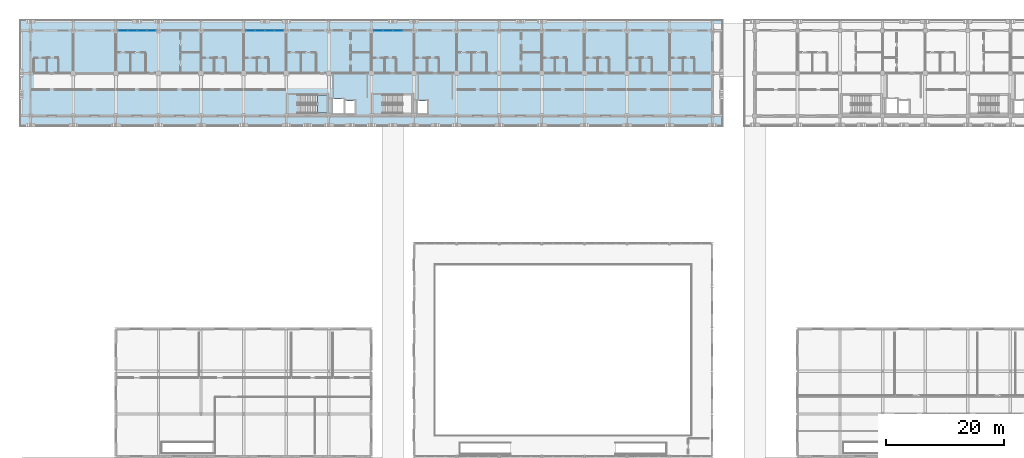
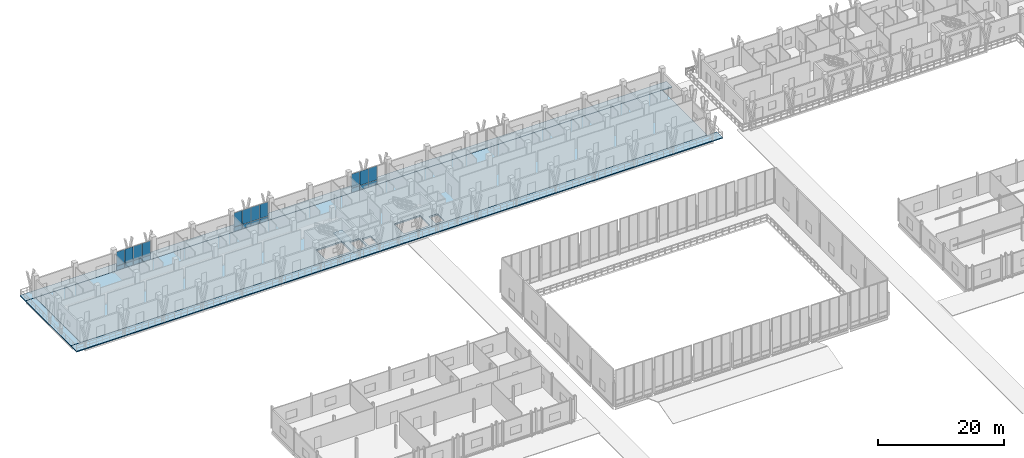
# One storey, part 58 of 110: 22 plates, 5 slabs, 4 elements without a shape of their own.
"""IFC4 building model written with IfcOpenShell, lengths in metres."""

from ifc_helpers import new_model, si_unit, direction, frame, origin, origin_2d, place, context, subcontext, project, spatial, polyline, rectangle, outline, extrude, material, layer, layer_set, type_object, element, aggregate, save


model = new_model("IFC4")

# Units and contexts
model_context = context("Model", 3, precision=1e-05, world=origin(), true_north=direction((0.0, 1.0)))
body_context = subcontext(model_context, "Body", "Model", "MODEL_VIEW")
ifc_project = project(units=[si_unit("LENGTHUNIT", "METRE"), si_unit("AREAUNIT", "SQUARE_METRE"), si_unit("VOLUMEUNIT", "CUBIC_METRE"), si_unit("PLANEANGLEUNIT", "RADIAN"), si_unit("MASSUNIT", "GRAM", prefix="KILO")], contexts=[model_context])

# Site, building, storey
site_placement = place(None, origin())
site = spatial("IfcSite", under=ifc_project, at=site_placement, CompositionType="ELEMENT")
building_placement = place(site_placement, origin())
building = spatial("IfcBuilding", under=site, at=building_placement, Name="Suanplinth Sawtooth Commons", CompositionType="ELEMENT")
storey_placement = place(building_placement, frame((0.0, 0.0, 4.5)))
storey = spatial("IfcBuildingStorey", under=building, at=storey_placement, Name="L01", CompositionType="ELEMENT", Elevation=4.5)

# Curtain wall, plates
ifc_material_1 = material(Name="Anodized aluminium and low-E glazing", Category="aluminium")
curtain_wall_type = type_object("IfcCurtainWallType", Name="CW-06", PredefinedType="USERDEFINED", material=ifc_material_1)
curtain_wall_1_placement = place(storey_placement, origin())
curtain_wall_1 = element("IfcCurtainWall", 1, at=curtain_wall_1_placement, inside=storey, type_object=curtain_wall_type, Name="Curtain Wall CW-L01-A-LOUNGE-2", ObjectType="CURTAIN WALL", PredefinedType="USERDEFINED")
ifc_material_2 = material(Name="Tempered low-E double glazing", Category="glass")
ifc_layer_1 = layer(ifc_material_2, 0.028076171875, Name="Vision low-E insulated glazing unit 28mm")
ifc_layer_set_1 = layer_set([ifc_layer_1], Name="Tempered low-E double glazing")
plate_type = type_object("IfcPlateType", Name="PL-05", PredefinedType="CURTAIN_PANEL", material=ifc_layer_set_1)
plate_1_placement = place(storey_placement, frame((15.6162109375, 122.39990234375, 0.06494140625), z_axis=(0.0, 0.0, 1.0), x_axis=(1.0, 0.0, 0.0)))
plate_1 = element("IfcPlate", 2, at=plate_1_placement, type_object=plate_type, Name="CW-06 panel 1.1", PredefinedType="CURTAIN_PANEL", context=body_context, shape_type="SweptSolid", body=[
    extrude(rectangle(XDim=1.50244140625, YDim=0.028076171875, at=origin_2d()), origin(), (0.0, 0.0, 1.0), 0.802490234375),
])
plate_2_placement = place(storey_placement, frame((15.6162109375, 122.39990234375, 0.9326171875), z_axis=(0.0, 0.0, 1.0), x_axis=(1.0, 0.0, 0.0)))
plate_2 = element("IfcPlate", 3, at=plate_2_placement, type_object=plate_type, Name="CW-06 panel 1.2", PredefinedType="CURTAIN_PANEL", context=body_context, shape_type="SweptSolid", body=[
    extrude(rectangle(XDim=1.50244140625, YDim=0.028076171875, at=origin_2d()), origin(), (0.0, 0.0, 1.0), 2.732421875),
])
plate_3_placement = place(storey_placement, frame((17.199951171875, 122.39990234375, 0.06494140625), z_axis=(0.0, 0.0, 1.0), x_axis=(1.0, 0.0, 0.0)))
plate_3 = element("IfcPlate", 4, at=plate_3_placement, type_object=plate_type, Name="CW-06 panel 2.1", PredefinedType="CURTAIN_PANEL", context=body_context, shape_type="SweptSolid", body=[
    extrude(rectangle(XDim=1.534912109375, YDim=0.028076171875, at=origin_2d()), origin(), (0.0, 0.0, 1.0), 0.802490234375),
])
plate_4_placement = place(storey_placement, frame((17.199951171875, 122.39990234375, 0.9326171875), z_axis=(0.0, 0.0, 1.0), x_axis=(1.0, 0.0, 0.0)))
plate_4 = element("IfcPlate", 5, at=plate_4_placement, type_object=plate_type, Name="CW-06 panel 2.2", PredefinedType="CURTAIN_PANEL", context=body_context, shape_type="SweptSolid", body=[
    extrude(rectangle(XDim=1.534912109375, YDim=0.028076171875, at=origin_2d()), origin(), (0.0, 0.0, 1.0), 2.732421875),
])
plate_5_placement = place(storey_placement, frame((18.800048828125, 122.39990234375, 0.06494140625), z_axis=(0.0, 0.0, 1.0), x_axis=(1.0, 0.0, 0.0)))
plate_5 = element("IfcPlate", 6, at=plate_5_placement, type_object=plate_type, Name="CW-06 panel 3.1", PredefinedType="CURTAIN_PANEL", context=body_context, shape_type="SweptSolid", body=[
    extrude(rectangle(XDim=1.534912109375, YDim=0.028076171875, at=origin_2d()), origin(), (0.0, 0.0, 1.0), 0.802490234375),
])
plate_6_placement = place(storey_placement, frame((18.800048828125, 122.39990234375, 0.9326171875), z_axis=(0.0, 0.0, 1.0), x_axis=(1.0, 0.0, 0.0)))
plate_6 = element("IfcPlate", 7, at=plate_6_placement, type_object=plate_type, Name="CW-06 panel 3.2", PredefinedType="CURTAIN_PANEL", context=body_context, shape_type="SweptSolid", body=[
    extrude(rectangle(XDim=1.534912109375, YDim=0.028076171875, at=origin_2d()), origin(), (0.0, 0.0, 1.0), 2.732421875),
])
plate_7_placement = place(storey_placement, frame((20.3837890625, 122.39990234375, 0.06494140625), z_axis=(0.0, 0.0, 1.0), x_axis=(1.0, 0.0, 0.0)))
plate_7 = element("IfcPlate", 8, at=plate_7_placement, type_object=plate_type, Name="CW-06 panel 4.1", PredefinedType="CURTAIN_PANEL", context=body_context, shape_type="SweptSolid", body=[
    extrude(rectangle(XDim=1.50244140625, YDim=0.028076171875, at=origin_2d()), origin(), (0.0, 0.0, 1.0), 0.802490234375),
])
plate_8_placement = place(storey_placement, frame((20.3837890625, 122.39990234375, 0.9326171875), z_axis=(0.0, 0.0, 1.0), x_axis=(1.0, 0.0, 0.0)))
plate_8 = element("IfcPlate", 9, at=plate_8_placement, type_object=plate_type, Name="CW-06 panel 4.2", PredefinedType="CURTAIN_PANEL", context=body_context, shape_type="SweptSolid", body=[
    extrude(rectangle(XDim=1.50244140625, YDim=0.028076171875, at=origin_2d()), origin(), (0.0, 0.0, 1.0), 2.732421875),
])
aggregate(curtain_wall_1, [plate_1, plate_2, plate_3, plate_4, plate_5, plate_6, plate_7, plate_8])

curtain_wall_2_placement = place(storey_placement, origin())
curtain_wall_2 = element("IfcCurtainWall", 10, at=curtain_wall_2_placement, inside=storey, type_object=curtain_wall_type, Name="Curtain Wall CW-L01-A-LOUNGE-5", ObjectType="CURTAIN WALL", PredefinedType="USERDEFINED")
plate_9_placement = place(storey_placement, frame((37.21630859375, 122.39990234375, 0.06494140625), z_axis=(0.0, 0.0, 1.0), x_axis=(1.0, 0.0, 0.0)))
plate_9 = element("IfcPlate", 11, at=plate_9_placement, type_object=plate_type, Name="CW-06 panel 1.1", PredefinedType="CURTAIN_PANEL", context=body_context, shape_type="SweptSolid", body=[
    extrude(rectangle(XDim=1.50244140625, YDim=0.028076171875, at=origin_2d()), origin(), (0.0, 0.0, 1.0), 0.802490234375),
])
plate_10_placement = place(storey_placement, frame((37.21630859375, 122.39990234375, 0.9326171875), z_axis=(0.0, 0.0, 1.0), x_axis=(1.0, 0.0, 0.0)))
plate_10 = element("IfcPlate", 12, at=plate_10_placement, type_object=plate_type, Name="CW-06 panel 1.2", PredefinedType="CURTAIN_PANEL", context=body_context, shape_type="SweptSolid", body=[
    extrude(rectangle(XDim=1.50244140625, YDim=0.028076171875, at=origin_2d()), origin(), (0.0, 0.0, 1.0), 2.732421875),
])
plate_11_placement = place(storey_placement, frame((38.800048828125, 122.39990234375, 0.06494140625), z_axis=(0.0, 0.0, 1.0), x_axis=(1.0, 0.0, 0.0)))
plate_11 = element("IfcPlate", 13, at=plate_11_placement, type_object=plate_type, Name="CW-06 panel 2.1", PredefinedType="CURTAIN_PANEL", context=body_context, shape_type="SweptSolid", body=[
    extrude(rectangle(XDim=1.534912109375, YDim=0.028076171875, at=origin_2d()), origin(), (0.0, 0.0, 1.0), 0.802490234375),
])
plate_12_placement = place(storey_placement, frame((38.800048828125, 122.39990234375, 0.9326171875), z_axis=(0.0, 0.0, 1.0), x_axis=(1.0, 0.0, 0.0)))
plate_12 = element("IfcPlate", 14, at=plate_12_placement, type_object=plate_type, Name="CW-06 panel 2.2", PredefinedType="CURTAIN_PANEL", context=body_context, shape_type="SweptSolid", body=[
    extrude(rectangle(XDim=1.534912109375, YDim=0.028076171875, at=origin_2d()), origin(), (0.0, 0.0, 1.0), 2.732421875),
])
plate_13_placement = place(storey_placement, frame((40.39990234375, 122.39990234375, 0.06494140625), z_axis=(0.0, 0.0, 1.0), x_axis=(1.0, 0.0, 0.0)))
plate_13 = element("IfcPlate", 15, at=plate_13_placement, type_object=plate_type, Name="CW-06 panel 3.1", PredefinedType="CURTAIN_PANEL", context=body_context, shape_type="SweptSolid", body=[
    extrude(rectangle(XDim=1.534912109375, YDim=0.028076171875, at=origin_2d()), origin(), (0.0, 0.0, 1.0), 0.802490234375),
])
plate_14_placement = place(storey_placement, frame((40.39990234375, 122.39990234375, 0.9326171875), z_axis=(0.0, 0.0, 1.0), x_axis=(1.0, 0.0, 0.0)))
plate_14 = element("IfcPlate", 16, at=plate_14_placement, type_object=plate_type, Name="CW-06 panel 3.2", PredefinedType="CURTAIN_PANEL", context=body_context, shape_type="SweptSolid", body=[
    extrude(rectangle(XDim=1.534912109375, YDim=0.028076171875, at=origin_2d()), origin(), (0.0, 0.0, 1.0), 2.732421875),
])
plate_15_placement = place(storey_placement, frame((41.983642578125, 122.39990234375, 0.06494140625), z_axis=(0.0, 0.0, 1.0), x_axis=(1.0, 0.0, 0.0)))
plate_15 = element("IfcPlate", 17, at=plate_15_placement, type_object=plate_type, Name="CW-06 panel 4.1", PredefinedType="CURTAIN_PANEL", context=body_context, shape_type="SweptSolid", body=[
    extrude(rectangle(XDim=1.50244140625, YDim=0.028076171875, at=origin_2d()), origin(), (0.0, 0.0, 1.0), 0.802490234375),
])
plate_16_placement = place(storey_placement, frame((41.983642578125, 122.39990234375, 0.9326171875), z_axis=(0.0, 0.0, 1.0), x_axis=(1.0, 0.0, 0.0)))
plate_16 = element("IfcPlate", 18, at=plate_16_placement, type_object=plate_type, Name="CW-06 panel 4.2", PredefinedType="CURTAIN_PANEL", context=body_context, shape_type="SweptSolid", body=[
    extrude(rectangle(XDim=1.50244140625, YDim=0.028076171875, at=origin_2d()), origin(), (0.0, 0.0, 1.0), 2.732421875),
])
aggregate(curtain_wall_2, [plate_9, plate_10, plate_11, plate_12, plate_13, plate_14, plate_15, plate_16])

curtain_wall_3_placement = place(storey_placement, origin())
curtain_wall_3 = element("IfcCurtainWall", 19, at=curtain_wall_3_placement, inside=storey, type_object=curtain_wall_type, Name="Curtain Wall CW-L01-A-LOUNGE-8", ObjectType="CURTAIN WALL", PredefinedType="USERDEFINED")
plate_17_placement = place(storey_placement, frame((58.816162109375, 122.39990234375, 0.06494140625), z_axis=(0.0, 0.0, 1.0), x_axis=(1.0, 0.0, 0.0)))
plate_17 = element("IfcPlate", 20, at=plate_17_placement, type_object=plate_type, Name="CW-06 panel 1.1", PredefinedType="CURTAIN_PANEL", context=body_context, shape_type="SweptSolid", body=[
    extrude(rectangle(XDim=1.50244140625, YDim=0.028076171875, at=origin_2d()), origin(), (0.0, 0.0, 1.0), 0.802490234375),
])
plate_18_placement = place(storey_placement, frame((58.816162109375, 122.39990234375, 0.9326171875), z_axis=(0.0, 0.0, 1.0), x_axis=(1.0, 0.0, 0.0)))
plate_18 = element("IfcPlate", 21, at=plate_18_placement, type_object=plate_type, Name="CW-06 panel 1.2", PredefinedType="CURTAIN_PANEL", context=body_context, shape_type="SweptSolid", body=[
    extrude(rectangle(XDim=1.50244140625, YDim=0.028076171875, at=origin_2d()), origin(), (0.0, 0.0, 1.0), 2.732421875),
])
plate_19_placement = place(storey_placement, frame((60.39990234375, 122.39990234375, 0.06494140625), z_axis=(0.0, 0.0, 1.0), x_axis=(1.0, 0.0, 0.0)))
plate_19 = element("IfcPlate", 22, at=plate_19_placement, type_object=plate_type, Name="CW-06 panel 2.1", PredefinedType="CURTAIN_PANEL", context=body_context, shape_type="SweptSolid", body=[
    extrude(rectangle(XDim=1.534912109375, YDim=0.028076171875, at=origin_2d()), origin(), (0.0, 0.0, 1.0), 0.802490234375),
])
plate_20_placement = place(storey_placement, frame((60.39990234375, 122.39990234375, 0.9326171875), z_axis=(0.0, 0.0, 1.0), x_axis=(1.0, 0.0, 0.0)))
plate_20 = element("IfcPlate", 23, at=plate_20_placement, type_object=plate_type, Name="CW-06 panel 2.2", PredefinedType="CURTAIN_PANEL", context=body_context, shape_type="SweptSolid", body=[
    extrude(rectangle(XDim=1.534912109375, YDim=0.028076171875, at=origin_2d()), origin(), (0.0, 0.0, 1.0), 2.732421875),
])
plate_21_placement = place(storey_placement, frame((62.0, 122.39990234375, 0.06494140625), z_axis=(0.0, 0.0, 1.0), x_axis=(1.0, 0.0, 0.0)))
plate_21 = element("IfcPlate", 24, at=plate_21_placement, type_object=plate_type, Name="CW-06 panel 3.1", PredefinedType="CURTAIN_PANEL", context=body_context, shape_type="SweptSolid", body=[
    extrude(rectangle(XDim=1.534912109375, YDim=0.028076171875, at=origin_2d()), origin(), (0.0, 0.0, 1.0), 0.802490234375),
])
plate_22_placement = place(storey_placement, frame((62.0, 122.39990234375, 0.9326171875), z_axis=(0.0, 0.0, 1.0), x_axis=(1.0, 0.0, 0.0)))
plate_22 = element("IfcPlate", 25, at=plate_22_placement, type_object=plate_type, Name="CW-06 panel 3.2", PredefinedType="CURTAIN_PANEL", context=body_context, shape_type="SweptSolid", body=[
    extrude(rectangle(XDim=1.534912109375, YDim=0.028076171875, at=origin_2d()), origin(), (0.0, 0.0, 1.0), 2.732421875),
])
aggregate(curtain_wall_3, [plate_17, plate_18, plate_19, plate_20, plate_21, plate_22])

# Slabs
ifc_material_3 = material(Name="Precast concrete C40/50", Category="concrete")
ifc_layer_2 = layer(ifc_material_3, 0.179931640625, Name="Wrap-around cantilevered precast balcony slab 180mm")
ifc_layer_set_2 = layer_set([ifc_layer_2], Name="Precast concrete C40/50")
slab_type_1 = type_object("IfcSlabType", Name="S-BL01", PredefinedType="FLOOR", material=ifc_layer_set_2)
slab_1_placement = place(storey_placement, frame((0.0, 0.0, -0.179931640625)))
element("IfcSlab", 26, at=slab_1_placement, inside=storey, type_object=slab_type_1, Name="L01 Block A Wrap-Around Balcony N", PredefinedType="FLOOR", context=body_context, shape_type="SweptSolid", body=[
    extrude(outline(polyline([(-1.800048828125, 122.39990234375), (-1.800048828125, 124.199951171875), (117.0, 124.199951171875), (117.0, 122.39990234375), (-1.800048828125, 122.39990234375)])), origin(), (0.0, 0.0, 1.0), 0.179931640625),
])
slab_2_placement = place(storey_placement, frame((0.0, 0.0, -0.179931640625)))
element("IfcSlab", 27, at=slab_2_placement, inside=storey, type_object=slab_type_1, Name="L01 Block A Wrap-Around Balcony S", PredefinedType="FLOOR", context=body_context, shape_type="SweptSolid", body=[
    extrude(outline(polyline([(117.0, 108.0), (117.0, 106.199951171875), (-1.800048828125, 106.199951171875), (-1.800048828125, 108.0), (117.0, 108.0)])), origin(), (0.0, 0.0, 1.0), 0.179931640625),
])
slab_3_placement = place(storey_placement, frame((0.0, 0.0, -0.179931640625)))
element("IfcSlab", 28, at=slab_3_placement, inside=storey, type_object=slab_type_1, Name="L01 Block A Wrap-Around Balcony W", PredefinedType="FLOOR", context=body_context, shape_type="SweptSolid", body=[
    extrude(outline(polyline([(0.0, 108.0), (-1.800048828125, 108.0), (-1.800048828125, 122.39990234375), (0.0, 122.39990234375), (0.0, 108.0)])), origin(), (0.0, 0.0, 1.0), 0.179931640625),
])

# Stair, slab
ifc_material_4 = material(Name="Concrete C40/50", Category="concrete")
stair_type = type_object("IfcStairType", Name="ST-02", PredefinedType="USERDEFINED", material=ifc_material_4)
stair_placement = place(storey_placement, origin())
stair = element("IfcStair", 29, at=stair_placement, inside=storey, type_object=stair_type, Name="L01 Exit Stair ST-N1", ObjectType="TWO_RETURN_STAIR", PredefinedType="USERDEFINED")
ifc_layer_3 = layer(ifc_material_4, 0.199951171875, Name="Reinforced concrete stair and ramp landing slab 200mm")
ifc_layer_set_3 = layer_set([ifc_layer_3], Name="Concrete C40/50")
slab_type_2 = type_object("IfcSlabType", Name="S-LD01", PredefinedType="LANDING", material=ifc_layer_set_3)
slab_4_placement = place(storey_placement, frame((0.0, 0.0, 2.050048828125)))
slab_4 = element("IfcSlab", 30, at=slab_4_placement, type_object=slab_type_2, Name="ST-02 landing 1", PredefinedType="LANDING", context=body_context, shape_type="SweptSolid", body=[
    extrude(outline(polyline([(48.469970703125, 108.449951171875), (50.050048828125, 108.449951171875), (50.050048828125, 111.550048828125), (48.469970703125, 111.550048828125), (48.469970703125, 108.449951171875)])), origin(), (0.0, 0.0, 1.0), 0.199951171875),
])
aggregate(stair, [slab_4])

# Slab
ifc_layer_4 = layer(ifc_material_4, 0.300048828125, Name="Upper civic plinth RC floor slab 300mm")
ifc_layer_set_4 = layer_set([ifc_layer_4], Name="Concrete C40/50")
slab_type_3 = type_object("IfcSlabType", Name="S-PL02", PredefinedType="FLOOR", material=ifc_layer_set_4)
slab_5_placement = place(storey_placement, frame((0.0, 0.0, -0.300048828125)))
element("IfcSlab", 31, at=slab_5_placement, inside=storey, type_object=slab_type_3, Name="L01 Block A Structural Floor Plate", PredefinedType="FLOOR", context=body_context, shape_type="SweptSolid", body=[
    extrude(outline(polyline([(0.0, 108.0), (115.199951171875, 108.0), (115.199951171875, 122.39990234375), (0.0, 122.39990234375), (0.0, 108.0)]), holes=[polyline([(45.2900390625, 108.449951171875), (50.050048828125, 108.449951171875), (50.050048828125, 111.550048828125), (45.2900390625, 111.550048828125), (45.2900390625, 108.449951171875)]), polyline([(51.050048828125, 108.449951171875), (52.85009765625, 108.449951171875), (52.85009765625, 110.85009765625), (51.050048828125, 110.85009765625), (51.050048828125, 108.449951171875)]), polyline([(53.199951171875, 108.449951171875), (54.800048828125, 108.449951171875), (54.800048828125, 110.550048828125), (53.199951171875, 110.550048828125), (53.199951171875, 108.449951171875)]), polyline([(59.68994140625, 108.449951171875), (64.449951171875, 108.449951171875), (64.449951171875, 111.550048828125), (59.68994140625, 111.550048828125), (59.68994140625, 108.449951171875)]), polyline([(65.449951171875, 108.449951171875), (67.050048828125, 108.449951171875), (67.050048828125, 110.550048828125), (65.449951171875, 110.550048828125), (65.449951171875, 108.449951171875)])]), origin(), (0.0, 0.0, 1.0), 0.300048828125),
])

save(model, "model.ifc")
